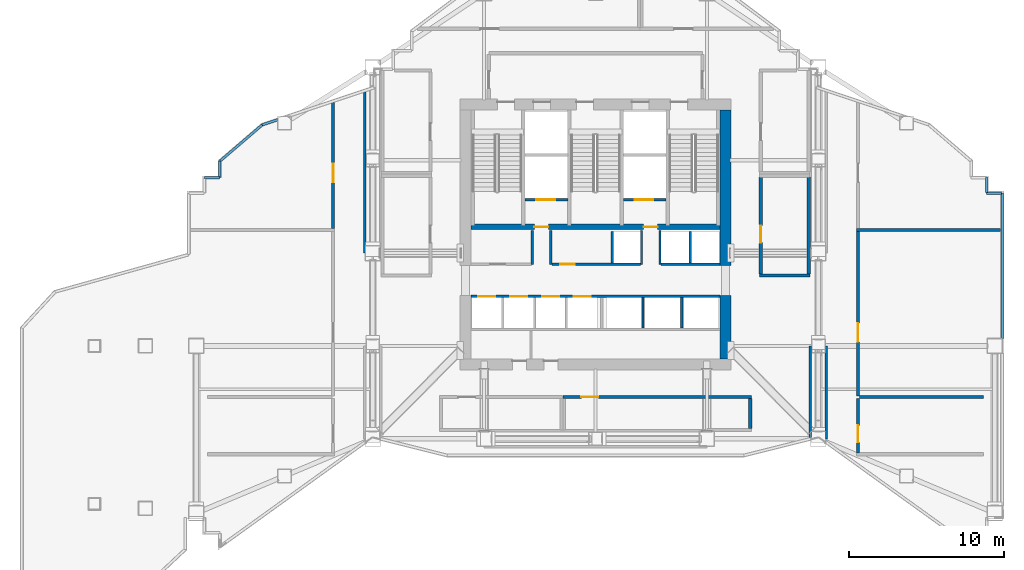
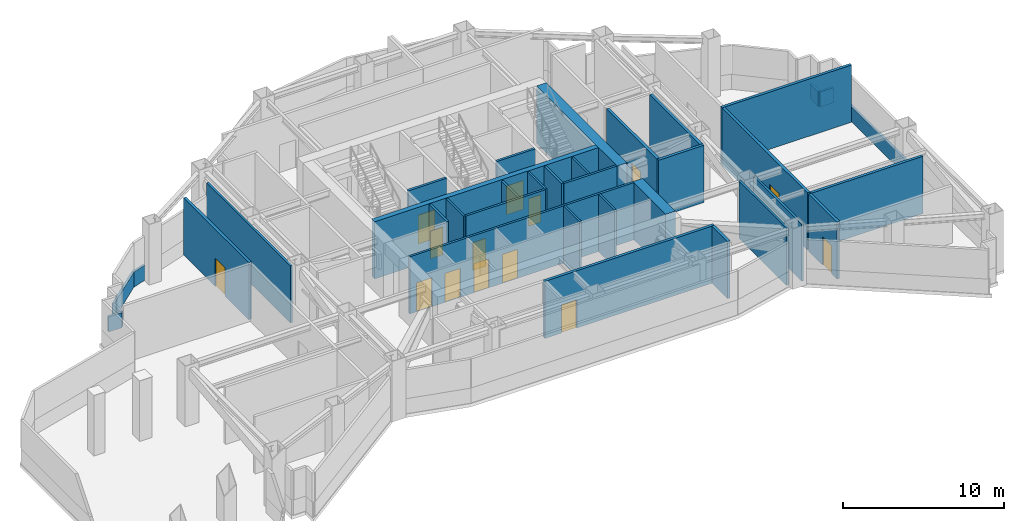
# One storey, part 15 of 24: 36 walls, 14 doors, 14 openings.
"""IFC4 building model written with IfcOpenShell, lengths in metres."""

from ifc_helpers import new_model, si_unit, direction, frame, frame_2d, origin, place, context, subcontext, project, spatial, rectangle, extrude, material, layer, layer_set, type_object, element, fill, save


model = new_model("IFC4")

# Units and contexts
model_context = context("Model", 3, precision=1e-05, world=origin(), true_north=direction((0.0, 1.0)))
body_context = subcontext(model_context, "Body", "Model", "MODEL_VIEW")
ifc_project = project(units=[si_unit("LENGTHUNIT", "METRE"), si_unit("AREAUNIT", "SQUARE_METRE"), si_unit("VOLUMEUNIT", "CUBIC_METRE"), si_unit("PLANEANGLEUNIT", "RADIAN"), si_unit("MASSUNIT", "GRAM", prefix="KILO")], contexts=[model_context])

# Site, building, storey
site_placement = place(None, origin())
site = spatial("IfcSite", under=ifc_project, at=site_placement, CompositionType="ELEMENT")
building_placement = place(site_placement, origin())
building = spatial("IfcBuilding", under=site, at=building_placement, Name="Haolan Belvedere Tower", CompositionType="ELEMENT")
storey_placement = place(building_placement, frame((0.0, 0.0, 160.0)))
storey = spatial("IfcBuildingStorey", under=building, at=storey_placement, Name="L40", CompositionType="ELEMENT", Elevation=160.0)

# Walls
ifc_material_1 = material(Name="Concrete C60/75", Category="concrete")
ifc_layer_1 = layer(ifc_material_1, 0.699951171875, Name="Concrete C60/75")
ifc_layer_set_1 = layer_set([ifc_layer_1], Name="Concrete C60/75")
wall_type_1 = type_object("IfcWallType", Name="WL-CORE-700", PredefinedType="SHEAR", material=ifc_layer_set_1)
wall_1_placement = place(storey_placement, frame((46.800048828125, 26.75, 0.0), z_axis=(0.0, 0.0, 1.0), x_axis=(0.0, 1.0, 0.0)))
element("IfcWall", 1, at=wall_1_placement, inside=storey, type_object=wall_type_1, Name="L40 central core shear wall ES", PredefinedType="SHEAR", context=body_context, shape_type="SweptSolid", body=[
    extrude(rectangle(XDim=4.10009765625, YDim=0.699951171875, at=frame_2d((2.050048828125, 0.0))), origin(), (0.0, 0.0, 1.0), 4.35009765625),
])
wall_2_placement = place(storey_placement, frame((46.800048828125, 32.800048828125, 0.0), z_axis=(0.0, 0.0, 1.0), x_axis=(0.0, 1.0, 0.0)))
element("IfcWall", 2, at=wall_2_placement, inside=storey, type_object=wall_type_1, Name="L40 central core shear wall EN", PredefinedType="SHEAR", context=body_context, shape_type="SweptSolid", body=[
    extrude(rectangle(XDim=10.050048828125, YDim=0.699951171875, at=frame_2d((5.02490234375, 0.0))), origin(), (0.0, 0.0, 1.0), 4.35009765625),
])

# Wall, opening, door
ifc_material_2 = material(Name="Concrete C40/50", Category="concrete")
ifc_layer_2 = layer(ifc_material_2, 0.199951171875, Name="Concrete C40/50")
ifc_layer_set_2 = layer_set([ifc_layer_2], Name="Concrete C40/50")
wall_type_2 = type_object("IfcWallType", Name="WL-FIRE-200", PredefinedType="SOLIDWALL", material=ifc_layer_set_2)
wall_3_placement = place(storey_placement, frame((21.43994140625, 35.18505859375, 0.0), z_axis=(0.0, 0.0, 1.0), x_axis=(0.0, 1.0, 0.0)))
wall_3 = element("IfcWall", 3, at=wall_3_placement, inside=storey, type_object=wall_type_2, Name="L40 interior partition IW-L40-REF-W2-E", PredefinedType="SOLIDWALL", context=body_context, shape_type="SweptSolid", body=[
    extrude(rectangle(XDim=8.13818359375, YDim=0.199951171875, at=frame_2d((4.069091796875, 0.0))), origin(), (0.0, 0.0, 1.0), 4.35009765625),
])
opening_1_placement = place(wall_3_placement, frame((4.195068359375, 0.0, 0.0), z_axis=(0.0, 0.0, 1.0), x_axis=(-1.0, 0.0, 0.0)))
opening_1 = element("IfcOpeningElement", 4, at=opening_1_placement, cuts=wall_3, Name="Opening FD-02", PredefinedType="OPENING", context=body_context, shape_type="SweptSolid", body=[
    extrude(rectangle(XDim=1.199951171875, YDim=2.14990234375, at=frame_2d((0.60009765625, 1.074951171875))), frame((0.0, 0.10986328125, 0.0), z_axis=(0.0, -1.0, 0.0), x_axis=(1.0, 0.0, 0.0)), (0.0, 0.0, 1.0), 0.219970703125),
])
ifc_material_3 = material(Name="Galvanised fire-rated steel", Category="steel")
door_type_1 = type_object("IfcDoorType", Name="DR-FD90-1200", OperationType="NOTDEFINED", PredefinedType="DOOR", material=ifc_material_3)
door_1_placement = place(opening_1_placement, origin())
door_1 = element("IfcDoor", 5, at=door_1_placement, inside=storey, type_object=door_type_1, Name="L40 door ID-L40-REF-W2", OperationType="SINGLE_SWING_RIGHT", OverallHeight=2.14990234375, OverallWidth=1.199951171875, PredefinedType="DOOR", context=body_context, shape_type="SweptSolid", body=[
    extrude(rectangle(XDim=1.199951171875, YDim=2.14990234375, at=frame_2d((0.60009765625, 1.074951171875))), frame((0.0, 0.02490234375, 0.0), z_axis=(0.0, -1.0, 0.0), x_axis=(1.0, 0.0, 0.0)), (0.0, 0.0, 1.0), 0.050048828125),
])
fill(opening_1, door_1)

# Wall
wall_4_placement = place(storey_placement, frame((55.280029296875, 35.10009765625, 0.0), z_axis=(0.0, 0.0, 1.0), x_axis=(1.0, 0.0, 0.0)))
element("IfcWall", 6, at=wall_4_placement, inside=storey, type_object=wall_type_2, Name="L40 interior partition IW-L40-REF-E1-N", PredefinedType="SOLIDWALL", context=body_context, shape_type="SweptSolid", body=[
    extrude(rectangle(XDim=9.307861328125, YDim=0.199951171875, at=frame_2d((4.65380859375, 0.0))), origin(), (0.0, 0.0, 1.0), 4.35009765625),
])

# Wall, opening, door
wall_5_placement = place(storey_placement, frame((55.360107421875, 24.3701171875, 0.0), z_axis=(0.0, 0.0, 1.0), x_axis=(0.0, 1.0, 0.0)))
wall_5 = element("IfcWall", 7, at=wall_5_placement, inside=storey, type_object=wall_type_2, Name="L40 interior partition IW-L40-REF-E1-W", PredefinedType="SOLIDWALL", context=body_context, shape_type="SweptSolid", body=[
    extrude(rectangle(XDim=10.644775390625, YDim=0.199951171875, at=frame_2d((5.322265625, 0.0))), origin(), (0.0, 0.0, 1.0), 4.35009765625),
])
opening_2_placement = place(wall_5_placement, frame((3.5, 0.0, 0.0)))
opening_2 = element("IfcOpeningElement", 8, at=opening_2_placement, cuts=wall_5, Name="Opening FD-02", PredefinedType="OPENING", context=body_context, shape_type="SweptSolid", body=[
    extrude(rectangle(XDim=1.199951171875, YDim=2.14990234375, at=frame_2d((0.60009765625, 1.074951171875))), frame((0.0, 0.10986328125, 0.0), z_axis=(0.0, -1.0, 0.0), x_axis=(1.0, 0.0, 0.0)), (0.0, 0.0, 1.0), 0.219970703125),
])
door_2_placement = place(opening_2_placement, origin())
door_2 = element("IfcDoor", 9, at=door_2_placement, inside=storey, type_object=door_type_1, Name="L40 door ID-L40-REF-E1", OperationType="SINGLE_SWING_RIGHT", OverallHeight=2.14990234375, OverallWidth=1.199951171875, PredefinedType="DOOR", context=body_context, shape_type="SweptSolid", body=[
    extrude(rectangle(XDim=1.199951171875, YDim=2.14990234375, at=frame_2d((0.60009765625, 1.074951171875))), frame((0.0, 0.02490234375, 0.0), z_axis=(0.0, -1.0, 0.0), x_axis=(1.0, 0.0, 0.0)), (0.0, 0.0, 1.0), 0.050048828125),
])
fill(opening_2, door_2)

# Wall
wall_6_placement = place(storey_placement, frame((49.0, 32.14990234375, 0.0), z_axis=(0.0, 0.0, 1.0), x_axis=(1.0, 0.0, 0.0)))
element("IfcWall", 10, at=wall_6_placement, inside=storey, type_object=wall_type_2, Name="L40 interior partition IW-L40-REF-EI1-S", PredefinedType="SOLIDWALL", context=body_context, shape_type="SweptSolid", body=[
    extrude(rectangle(XDim=3.260009765625, YDim=0.199951171875, at=frame_2d((1.6298828125, 0.0))), origin(), (0.0, 0.0, 1.0), 4.35009765625),
])

# Wall, opening, door
wall_7_placement = place(storey_placement, frame((49.080078125, 32.235107421875, 0.0), z_axis=(0.0, 0.0, 1.0), x_axis=(0.0, 1.0, 0.0)))
wall_7 = element("IfcWall", 11, at=wall_7_placement, inside=storey, type_object=wall_type_2, Name="L40 interior partition IW-L40-REF-EI1-W", PredefinedType="SOLIDWALL", context=body_context, shape_type="SweptSolid", body=[
    extrude(rectangle(XDim=6.27978515625, YDim=0.199951171875, at=frame_2d((3.139892578125, 0.0))), origin(), (0.0, 0.0, 1.0), 4.35009765625),
])
opening_3_placement = place(wall_7_placement, frame((2.034912109375, 0.0, 0.0)))
opening_3 = element("IfcOpeningElement", 12, at=opening_3_placement, cuts=wall_7, Name="Opening FD-03", PredefinedType="OPENING", context=body_context, shape_type="SweptSolid", body=[
    extrude(rectangle(XDim=1.10009765625, YDim=2.14990234375, at=frame_2d((0.550048828125, 1.074951171875))), frame((0.0, 0.10986328125, 0.0), z_axis=(0.0, -1.0, 0.0), x_axis=(1.0, 0.0, 0.0)), (0.0, 0.0, 1.0), 0.219970703125),
])
door_type_2 = type_object("IfcDoorType", Name="DR-FD90-1100", OperationType="NOTDEFINED", PredefinedType="DOOR", material=ifc_material_3)
door_3_placement = place(opening_3_placement, origin())
door_3 = element("IfcDoor", 13, at=door_3_placement, inside=storey, type_object=door_type_2, Name="L40 door ID-L40-REF-EI1", OperationType="SINGLE_SWING_RIGHT", OverallHeight=2.14990234375, OverallWidth=1.10009765625, PredefinedType="DOOR", context=body_context, shape_type="SweptSolid", body=[
    extrude(rectangle(XDim=1.10009765625, YDim=2.14990234375, at=frame_2d((0.550048828125, 1.074951171875))), frame((0.0, 0.02490234375, 0.0), z_axis=(0.0, -1.0, 0.0), x_axis=(1.0, 0.0, 0.0)), (0.0, 0.0, 1.0), 0.050048828125),
])
fill(opening_3, door_3)

# Wall
wall_8_placement = place(storey_placement, frame((52.179931640625, 32.235107421875, 0.0), z_axis=(0.0, 0.0, 1.0), x_axis=(0.0, 1.0, 0.0)))
element("IfcWall", 14, at=wall_8_placement, inside=storey, type_object=wall_type_2, Name="L40 interior partition IW-L40-REF-EI1-E", PredefinedType="SOLIDWALL", context=body_context, shape_type="SweptSolid", body=[
    extrude(rectangle(XDim=6.27978515625, YDim=0.199951171875, at=frame_2d((3.139892578125, 0.0))), origin(), (0.0, 0.0, 1.0), 4.35009765625),
])

# Wall, opening, door
wall_9_placement = place(storey_placement, frame((36.284912109375, 24.300048828125, 0.0), z_axis=(0.0, 0.0, 1.0), x_axis=(1.0, 0.0, 0.0)))
wall_9 = element("IfcWall", 15, at=wall_9_placement, inside=storey, type_object=wall_type_2, Name="L40 interior partition IW-L40-PLT-CHW-N", PredefinedType="SOLIDWALL", context=body_context, shape_type="SweptSolid", body=[
    extrude(rectangle(XDim=12.195068359375, YDim=0.199951171875, at=frame_2d((6.09765625, 0.0))), origin(), (0.0, 0.0, 1.0), 4.35009765625),
])
opening_4_placement = place(wall_9_placement, frame((2.295166015625, 0.0, 0.0), z_axis=(0.0, 0.0, 1.0), x_axis=(-1.0, 0.0, 0.0)))
opening_4 = element("IfcOpeningElement", 16, at=opening_4_placement, cuts=wall_9, Name="Opening FD-03", PredefinedType="OPENING", context=body_context, shape_type="SweptSolid", body=[
    extrude(rectangle(XDim=1.10009765625, YDim=2.14990234375, at=frame_2d((0.550048828125, 1.074951171875))), frame((0.0, 0.10986328125, 0.0), z_axis=(0.0, -1.0, 0.0), x_axis=(1.0, 0.0, 0.0)), (0.0, 0.0, 1.0), 0.219970703125),
])
door_4_placement = place(opening_4_placement, origin())
door_4 = element("IfcDoor", 17, at=door_4_placement, inside=storey, type_object=door_type_2, Name="L40 door ID-L40-PLT-CHW", OperationType="SINGLE_SWING_RIGHT", OverallHeight=2.14990234375, OverallWidth=1.10009765625, PredefinedType="DOOR", context=body_context, shape_type="SweptSolid", body=[
    extrude(rectangle(XDim=1.10009765625, YDim=2.14990234375, at=frame_2d((0.550048828125, 1.074951171875))), frame((0.0, 0.02490234375, 0.0), z_axis=(0.0, -1.0, 0.0), x_axis=(1.0, 0.0, 0.0)), (0.0, 0.0, 1.0), 0.050048828125),
])
fill(opening_4, door_4)

# Walls
wall_10_placement = place(storey_placement, frame((48.39990234375, 22.264892578125, 0.0), z_axis=(0.0, 0.0, 1.0), x_axis=(0.0, 1.0, 0.0)))
element("IfcWall", 18, at=wall_10_placement, inside=storey, type_object=wall_type_2, Name="L40 interior partition IW-L40-PLT-CHW-E", PredefinedType="SOLIDWALL", context=body_context, shape_type="SweptSolid", body=[
    extrude(rectangle(XDim=1.9501953125, YDim=0.199951171875, at=frame_2d((0.97509765625, 0.0))), origin(), (0.0, 0.0, 1.0), 4.35009765625),
])
wall_11_placement = place(storey_placement, frame((55.445068359375, 24.2900390625, 0.0), z_axis=(0.0, 0.0, 1.0), x_axis=(1.0, 0.0, 0.0)))
element("IfcWall", 19, at=wall_11_placement, inside=storey, type_object=wall_type_2, Name="L40 interior partition IW-L40-PLT-TNK-N", PredefinedType="SOLIDWALL", context=body_context, shape_type="SweptSolid", body=[
    extrude(rectangle(XDim=8.034912109375, YDim=0.199951171875, at=frame_2d((4.017578125, 0.0))), origin(), (0.0, 0.0, 1.0), 4.35009765625),
])

# Wall, opening, door
wall_12_placement = place(storey_placement, frame((55.360107421875, 20.68505859375, 0.0), z_axis=(0.0, 0.0, 1.0), x_axis=(0.0, 1.0, 0.0)))
wall_12 = element("IfcWall", 20, at=wall_12_placement, inside=storey, type_object=wall_type_2, Name="L40 interior partition IW-L40-PLT-TNK-W", PredefinedType="SOLIDWALL", context=body_context, shape_type="SweptSolid", body=[
    extrude(rectangle(XDim=3.52001953125, YDim=0.199951171875, at=frame_2d((1.760009765625, 0.0))), origin(), (0.0, 0.0, 1.0), 4.35009765625),
])
opening_5_placement = place(wall_12_placement, frame((0.68505859375, 0.0, 0.0)))
opening_5 = element("IfcOpeningElement", 21, at=opening_5_placement, cuts=wall_12, Name="Opening FD-03", PredefinedType="OPENING", context=body_context, shape_type="SweptSolid", body=[
    extrude(rectangle(XDim=1.10009765625, YDim=2.14990234375, at=frame_2d((0.550048828125, 1.074951171875))), frame((0.0, 0.10986328125, 0.0), z_axis=(0.0, -1.0, 0.0), x_axis=(1.0, 0.0, 0.0)), (0.0, 0.0, 1.0), 0.219970703125),
])
door_5_placement = place(opening_5_placement, origin())
door_5 = element("IfcDoor", 22, at=door_5_placement, inside=storey, type_object=door_type_2, Name="L40 door ID-L40-PLT-TNK", OperationType="SINGLE_SWING_LEFT", OverallHeight=2.14990234375, OverallWidth=1.10009765625, PredefinedType="DOOR", context=body_context, shape_type="SweptSolid", body=[
    extrude(rectangle(XDim=1.10009765625, YDim=2.14990234375, at=frame_2d((0.550048828125, 1.074951171875))), frame((0.0, 0.02490234375, 0.0), z_axis=(0.0, -1.0, 0.0), x_axis=(1.0, 0.0, 0.0)), (0.0, 0.0, 1.0), 0.050048828125),
])
fill(opening_5, door_5)

# Walls
ifc_material_4 = material(Name="Precast concrete C40/50", Category="concrete")
ifc_layer_3 = layer(ifc_material_4, 0.159912109375, Name="Precast concrete C40/50")
ifc_layer_set_3 = layer_set([ifc_layer_3], Name="Precast concrete C40/50")
wall_type_3 = type_object("IfcWallType", Name="WL-PAR-160", PredefinedType="PARAPET", material=ifc_layer_set_3)
wall_13_placement = place(storey_placement, frame((64.679931640625, 28.092041015625, 0.0), z_axis=(0.0, 0.0, 1.0), x_axis=(0.0, 1.0, 0.0)))
element("IfcWall", 23, at=wall_13_placement, inside=storey, type_object=wall_type_3, Name="L40 refuge open-band parapet 14.2", PredefinedType="PARAPET", context=body_context, shape_type="SweptSolid", body=[
    extrude(rectangle(XDim=9.387939453125, YDim=0.159912109375, at=frame_2d((4.69384765625, 0.0))), origin(), (0.0, 0.0, 1.0), 1.14990234375),
])
for number, where, z_axis, x_axis, name in (
    (24, (64.64990234375, 37.47998046875, 0.0), (0.0, 0.0, 1.0), (-1.0, 0.0, 0.0), "L40 refuge open-band parapet 15.1"),
    (25, (63.679931640625, 37.510009765625, 0.0), (0.0, 0.0, 1.0), (0.0, 1.0, 0.0), "L40 refuge open-band parapet 16.1"),
):
    element("IfcWall", number, at=place(storey_placement, frame(where, z_axis=z_axis, x_axis=x_axis)), inside=storey, type_object=wall_type_3, Name=name, PredefinedType="PARAPET", context=body_context, shape_type="SweptSolid", body=[
        extrude(rectangle(XDim=0.969970703125, YDim=0.159912109375, at=frame_2d((0.48486328125, 0.0))), origin(), (0.0, 0.0, 1.0), 1.14990234375),
    ])
wall_14_placement = place(storey_placement, frame((17.85791015625, 42.226318359375, 0.0), z_axis=(0.0, 0.0, 1.0), x_axis=(-0.948636865667, -0.316367029093, 0.0)))
element("IfcWall", 26, at=wall_14_placement, inside=storey, type_object=wall_type_3, Name="L40 refuge open-band parapet 35.2", PredefinedType="PARAPET", context=body_context, shape_type="SweptSolid", body=[
    extrude(rectangle(XDim=1.0517578125, YDim=0.159912109375, at=frame_2d((0.52587890625, 0.0))), origin(), (0.0, 0.0, 1.0), 1.14990234375),
])
wall_15_placement = place(storey_placement, frame((16.860107421875, 41.8935546875, 0.0), z_axis=(0.0, 0.0, 1.0), x_axis=(-0.759247051556, -0.650802515902, 0.0)))
element("IfcWall", 27, at=wall_15_placement, inside=storey, type_object=wall_type_3, Name="L40 refuge open-band parapet 36.1", PredefinedType="PARAPET", context=body_context, shape_type="SweptSolid", body=[
    extrude(rectangle(XDim=3.60888671875, YDim=0.159912109375, at=frame_2d((1.804443359375, 0.0))), origin(), (0.0, 0.0, 1.0), 1.14990234375),
])
wall_16_placement = place(storey_placement, frame((14.1201171875, 39.544921875, 0.0), z_axis=(0.0, 0.0, 1.0), x_axis=(0.0, -1.0, 0.0)))
element("IfcWall", 28, at=wall_16_placement, inside=storey, type_object=wall_type_3, Name="L40 refuge open-band parapet 37.1", PredefinedType="PARAPET", context=body_context, shape_type="SweptSolid", body=[
    extrude(rectangle(XDim=1.06494140625, YDim=0.159912109375, at=frame_2d((0.532470703125, 0.0))), origin(), (0.0, 0.0, 1.0), 1.14990234375),
])
wall_17_placement = place(storey_placement, frame((14.090087890625, 38.47998046875, 0.0), z_axis=(0.0, 0.0, 1.0), x_axis=(-1.0, 0.0, 0.0)))
element("IfcWall", 29, at=wall_17_placement, inside=storey, type_object=wall_type_3, Name="L40 refuge open-band parapet 38.1", PredefinedType="PARAPET", context=body_context, shape_type="SweptSolid", body=[
    extrude(rectangle(XDim=0.969970703125, YDim=0.159912109375, at=frame_2d((0.48486328125, 0.0))), origin(), (0.0, 0.0, 1.0), 1.14990234375),
])
ifc_material_5 = material(Name="Double gypsum acoustic stud partition", Category="masonry")
ifc_layer_4 = layer(ifc_material_5, 0.14990234375, Name="Double gypsum acoustic stud partition")
ifc_layer_set_4 = layer_set([ifc_layer_4], Name="Double gypsum acoustic stud partition")
wall_type_4 = type_object("IfcWallType", Name="WL-PART-150", PredefinedType="PARTITIONING", material=ifc_layer_set_4)
wall_18_placement = place(storey_placement, frame((23.47998046875, 33.60009765625, 0.0), z_axis=(0.0, 0.0, 1.0), x_axis=(0.0, 1.0, 0.0)))
element("IfcWall", 30, at=wall_18_placement, inside=storey, type_object=wall_type_4, Name="L40 interior partition IW-L40-CH-BTW3-2", PredefinedType="PARTITIONING", context=body_context, shape_type="SweptSolid", body=[
    extrude(rectangle(XDim=10.403076171875, YDim=0.14990234375, at=frame_2d((5.20166015625, 0.0))), origin(), (0.0, 0.0, 1.0), 4.35009765625),
])
wall_19_placement = place(storey_placement, frame((53.320068359375, 21.60009765625, 0.0), z_axis=(0.0, 0.0, 1.0), x_axis=(0.0, 1.0, 0.0)))
element("IfcWall", 31, at=wall_19_placement, inside=storey, type_object=wall_type_4, Name="L40 interior partition IW-L40-CH-BTE1-1", PredefinedType="PARTITIONING", context=body_context, shape_type="SweptSolid", body=[
    extrude(rectangle(XDim=6.0, YDim=0.14990234375, at=frame_2d((3.0, 0.0))), origin(), (0.0, 0.0, 1.0), 4.35009765625),
])
wall_20_placement = place(storey_placement, frame((52.280029296875, 21.6884765625, 0.0), z_axis=(0.0, 0.0, 1.0), x_axis=(0.0, 1.0, 0.0)))
element("IfcWall", 32, at=wall_20_placement, inside=storey, type_object=wall_type_4, Name="L40 interior partition IW-L40-CH-BTE1-2", PredefinedType="PARTITIONING", context=body_context, shape_type="SweptSolid", body=[
    extrude(rectangle(XDim=5.91162109375, YDim=0.14990234375, at=frame_2d((2.955810546875, 0.0))), origin(), (0.0, 0.0, 1.0), 4.35009765625),
])
ifc_material_6 = material(Name="Gypsum fire shaftwall assembly", Category="masonry")
ifc_layer_5 = layer(ifc_material_6, 0.1650390625, Name="Gypsum fire shaftwall assembly")
ifc_layer_set_5 = layer_set([ifc_layer_5], Name="Gypsum fire shaftwall assembly")
wall_type_5 = type_object("IfcWallType", Name="WL-SHAFT-160", PredefinedType="SOLIDWALL", material=ifc_layer_set_5)
for number, where, z_axis, x_axis, name in (
    (33, (34.31005859375, 32.8798828125, 0.0), (0.0, 0.0, 1.0), (0.0, 1.0, 0.0), "L40 interior partition IW-L40-SVP-W-SV1"),
    (34, (35.510009765625, 32.8798828125, 0.0), (0.0, 0.0, 1.0), (0.0, 1.0, 0.0), "L40 interior partition IW-L40-SVP-E-SV1"),
    (35, (41.3701171875, 32.8798828125, 0.0), (0.0, 0.0, 1.0), (0.0, 1.0, 0.0), "L40 interior partition IW-L40-SVP-W-SV2"),
    (36, (42.570068359375, 32.8798828125, 0.0), (0.0, 0.0, 1.0), (0.0, 1.0, 0.0), "L40 interior partition IW-L40-SVP-E-SV2"),
):
    element("IfcWall", number, at=place(storey_placement, frame(where, z_axis=z_axis, x_axis=x_axis)), inside=storey, type_object=wall_type_5, Name=name, PredefinedType="SOLIDWALL", context=body_context, shape_type="SweptSolid", body=[
        extrude(rectangle(XDim=2.170166015625, YDim=0.14990234375, at=frame_2d((1.0849609375, 0.0))), origin(), (0.0, 0.0, 1.0), 4.35009765625),
    ])

# Wall, opening, door
wall_21_placement = place(storey_placement, frame((35.570068359375, 32.8798828125, 0.0), z_axis=(0.0, 0.0, 1.0), x_axis=(1.0, 0.0, 0.0)))
wall_21 = element("IfcWall", 37, at=wall_21_placement, inside=storey, type_object=wall_type_5, Name="L40 interior partition IW-L40-ROW-PN2", PredefinedType="SOLIDWALL", context=body_context, shape_type="SweptSolid", body=[
    extrude(rectangle(XDim=5.739990234375, YDim=0.159912109375, at=frame_2d((2.8701171875, 0.0))), origin(), (0.0, 0.0, 1.0), 4.35009765625),
])
opening_6_placement = place(wall_21_placement, frame((1.489990234375, 0.0, 0.0), z_axis=(0.0, 0.0, 1.0), x_axis=(-1.0, 0.0, 0.0)))
opening_6 = element("IfcOpeningElement", 38, at=opening_6_placement, cuts=wall_21, Name="Opening ID-03", PredefinedType="OPENING", context=body_context, shape_type="SweptSolid", body=[
    extrude(rectangle(XDim=0.949951171875, YDim=2.1201171875, at=frame_2d((0.47509765625, 1.06005859375))), frame((0.0, 0.08984375, 0.0), z_axis=(0.0, -1.0, 0.0), x_axis=(1.0, 0.0, 0.0)), (0.0, 0.0, 1.0), 0.179931640625),
])
ifc_material_7 = material(Name="Painted solid-core timber", Category="wood")
door_type_3 = type_object("IfcDoorType", Name="DR-INT-950", OperationType="NOTDEFINED", PredefinedType="DOOR", material=ifc_material_7)
door_6_placement = place(opening_6_placement, origin())
door_6 = element("IfcDoor", 39, at=door_6_placement, inside=storey, type_object=door_type_3, Name="L40 door ID-L40-CD-RPLE", OperationType="SINGLE_SWING_RIGHT", OverallHeight=2.1201171875, OverallWidth=0.949951171875, PredefinedType="DOOR", context=body_context, shape_type="SweptSolid", body=[
    extrude(rectangle(XDim=0.949951171875, YDim=2.1201171875, at=frame_2d((0.47509765625, 1.06005859375))), frame((0.0, 0.02490234375, 0.0), z_axis=(0.0, -1.0, 0.0), x_axis=(1.0, 0.0, 0.0)), (0.0, 0.0, 1.0), 0.050048828125),
])
fill(opening_6, door_6)

# Walls
wall_22_placement = place(storey_placement, frame((42.6298828125, 32.8798828125, 0.0), z_axis=(0.0, 0.0, 1.0), x_axis=(1.0, 0.0, 0.0)))
element("IfcWall", 40, at=wall_22_placement, inside=storey, type_object=wall_type_5, Name="L40 interior partition IW-L40-ROW-PN3", PredefinedType="SOLIDWALL", context=body_context, shape_type="SweptSolid", body=[
    extrude(rectangle(XDim=3.820068359375, YDim=0.159912109375, at=frame_2d((1.91015625, 0.0))), origin(), (0.0, 0.0, 1.0), 4.35009765625),
])
for number, where, z_axis, x_axis, name in (
    (41, (39.469970703125, 32.949951171875, 0.0), (0.0, 0.0, 1.0), (0.0, 1.0, 0.0), "L40 interior partition IW-L40-DIV-PL4R"),
    (42, (44.530029296875, 32.949951171875, 0.0), (0.0, 0.0, 1.0), (0.0, 1.0, 0.0), "L40 interior partition IW-L40-DIV-PH2"),
):
    element("IfcWall", number, at=place(storey_placement, frame(where, z_axis=z_axis, x_axis=x_axis)), inside=storey, type_object=wall_type_5, Name=name, PredefinedType="SOLIDWALL", context=body_context, shape_type="SweptSolid", body=[
        extrude(rectangle(XDim=2.050048828125, YDim=0.14990234375, at=frame_2d((1.02490234375, 0.0))), origin(), (0.0, 0.0, 1.0), 4.35009765625),
    ])

# Wall, openings, doors
wall_23_placement = place(storey_placement, frame((30.35009765625, 30.800048828125, 0.0), z_axis=(0.0, 0.0, 1.0), x_axis=(1.0, 0.0, 0.0)))
wall_23 = element("IfcWall", 43, at=wall_23_placement, inside=storey, type_object=wall_type_5, Name="L40 interior partition IW-L40-ROW-PS", PredefinedType="SOLIDWALL", context=body_context, shape_type="SweptSolid", body=[
    extrude(rectangle(XDim=16.099853515625, YDim=0.159912109375, at=frame_2d((8.0498046875, 0.0))), origin(), (0.0, 0.0, 1.0), 4.35009765625),
])
opening_7_placement = place(wall_23_placement, frame((0.469970703125, 0.0, 0.0)))
opening_7 = element("IfcOpeningElement", 44, at=opening_7_placement, cuts=wall_23, Name="Opening LD-01", PredefinedType="OPENING", context=body_context, shape_type="SweptSolid", body=[
    extrude(rectangle(XDim=1.10009765625, YDim=2.199951171875, at=frame_2d((0.550048828125, 1.10009765625))), frame((0.0, 0.08984375, 0.0), z_axis=(0.0, -1.0, 0.0), x_axis=(1.0, 0.0, 0.0)), (0.0, 0.0, 1.0), 0.179931640625),
])
opening_8_placement = place(wall_23_placement, frame((2.530029296875, 0.0, 0.0)))
opening_8 = element("IfcOpeningElement", 45, at=opening_8_placement, cuts=wall_23, Name="Opening LD-01", PredefinedType="OPENING", context=body_context, shape_type="SweptSolid", body=[
    extrude(rectangle(XDim=1.10009765625, YDim=2.199951171875, at=frame_2d((0.550048828125, 1.10009765625))), frame((0.0, 0.08984375, 0.0), z_axis=(0.0, -1.0, 0.0), x_axis=(1.0, 0.0, 0.0)), (0.0, 0.0, 1.0), 0.179931640625),
])
opening_9_placement = place(wall_23_placement, frame((4.590087890625, 0.0, 0.0)))
opening_9 = element("IfcOpeningElement", 46, at=opening_9_placement, cuts=wall_23, Name="Opening LD-01", PredefinedType="OPENING", context=body_context, shape_type="SweptSolid", body=[
    extrude(rectangle(XDim=1.10009765625, YDim=2.199951171875, at=frame_2d((0.550048828125, 1.10009765625))), frame((0.0, 0.08984375, 0.0), z_axis=(0.0, -1.0, 0.0), x_axis=(1.0, 0.0, 0.0)), (0.0, 0.0, 1.0), 0.179931640625),
])
opening_10_placement = place(wall_23_placement, frame((6.64990234375, 0.0, 0.0)))
opening_10 = element("IfcOpeningElement", 47, at=opening_10_placement, cuts=wall_23, Name="Opening LD-01", PredefinedType="OPENING", context=body_context, shape_type="SweptSolid", body=[
    extrude(rectangle(XDim=1.10009765625, YDim=2.199951171875, at=frame_2d((0.550048828125, 1.10009765625))), frame((0.0, 0.08984375, 0.0), z_axis=(0.0, -1.0, 0.0), x_axis=(1.0, 0.0, 0.0)), (0.0, 0.0, 1.0), 0.179931640625),
])
ifc_material_8 = material(Name="Brushed champagne stainless steel 316L", Category="steel")
door_type_4 = type_object("IfcDoorType", Name="DR-LIFT-1100", OperationType="SLIDING_TO_LEFT", PredefinedType="DOOR", material=ifc_material_8)
door_7_placement = place(opening_7_placement, origin())
door_7 = element("IfcDoor", 48, at=door_7_placement, inside=storey, type_object=door_type_4, Name="L40 door ID-L40-LD-PM1", OperationType="SLIDING_TO_LEFT", OverallHeight=2.199951171875, OverallWidth=1.10009765625, PredefinedType="DOOR", context=body_context, shape_type="SweptSolid", body=[
    extrude(rectangle(XDim=1.10009765625, YDim=2.199951171875, at=frame_2d((0.550048828125, 1.10009765625))), frame((0.0, 0.02490234375, 0.0), z_axis=(0.0, -1.0, 0.0), x_axis=(1.0, 0.0, 0.0)), (0.0, 0.0, 1.0), 0.050048828125),
])
fill(opening_7, door_7)
door_8_placement = place(opening_8_placement, origin())
door_8 = element("IfcDoor", 49, at=door_8_placement, inside=storey, type_object=door_type_4, Name="L40 door ID-L40-LD-PM2", OperationType="SLIDING_TO_LEFT", OverallHeight=2.199951171875, OverallWidth=1.10009765625, PredefinedType="DOOR", context=body_context, shape_type="SweptSolid", body=[
    extrude(rectangle(XDim=1.10009765625, YDim=2.199951171875, at=frame_2d((0.550048828125, 1.10009765625))), frame((0.0, 0.02490234375, 0.0), z_axis=(0.0, -1.0, 0.0), x_axis=(1.0, 0.0, 0.0)), (0.0, 0.0, 1.0), 0.050048828125),
])
fill(opening_8, door_8)
door_9_placement = place(opening_9_placement, origin())
door_9 = element("IfcDoor", 50, at=door_9_placement, inside=storey, type_object=door_type_4, Name="L40 door ID-L40-LD-PM3", OperationType="SLIDING_TO_LEFT", OverallHeight=2.199951171875, OverallWidth=1.10009765625, PredefinedType="DOOR", context=body_context, shape_type="SweptSolid", body=[
    extrude(rectangle(XDim=1.10009765625, YDim=2.199951171875, at=frame_2d((0.550048828125, 1.10009765625))), frame((0.0, 0.02490234375, 0.0), z_axis=(0.0, -1.0, 0.0), x_axis=(1.0, 0.0, 0.0)), (0.0, 0.0, 1.0), 0.050048828125),
])
fill(opening_9, door_9)
door_10_placement = place(opening_10_placement, origin())
door_10 = element("IfcDoor", 51, at=door_10_placement, inside=storey, type_object=door_type_4, Name="L40 door ID-L40-LD-PM4", OperationType="SLIDING_TO_LEFT", OverallHeight=2.199951171875, OverallWidth=1.10009765625, PredefinedType="DOOR", context=body_context, shape_type="SweptSolid", body=[
    extrude(rectangle(XDim=1.10009765625, YDim=2.199951171875, at=frame_2d((0.550048828125, 1.10009765625))), frame((0.0, 0.02490234375, 0.0), z_axis=(0.0, -1.0, 0.0), x_axis=(1.0, 0.0, 0.0)), (0.0, 0.0, 1.0), 0.050048828125),
])
fill(opening_10, door_10)

# Walls
for number, where, z_axis, x_axis, name in (
    (52, (41.469970703125, 28.75, 0.0), (0.0, 0.0, 1.0), (0.0, 1.0, 0.0), "L40 interior partition IW-L40-DIV-OB1"),
    (53, (43.97998046875, 28.75, 0.0), (0.0, 0.0, 1.0), (0.0, 1.0, 0.0), "L40 interior partition IW-L40-DIV-OB2"),
):
    element("IfcWall", number, at=place(storey_placement, frame(where, z_axis=z_axis, x_axis=x_axis)), inside=storey, type_object=wall_type_5, Name=name, PredefinedType="SOLIDWALL", context=body_context, shape_type="SweptSolid", body=[
        extrude(rectangle(XDim=1.985107421875, YDim=0.14990234375, at=frame_2d((0.99267578125, 0.0))), origin(), (0.0, 0.0, 1.0), 4.35009765625),
    ])

# Wall, opening, door
ifc_layer_6 = layer(ifc_material_4, 0.179931640625, Name="Precast concrete C40/50")
ifc_layer_set_6 = layer_set([ifc_layer_6], Name="Precast concrete C40/50")
wall_type_6 = type_object("IfcWallType", Name="WL-SHAFT-180", PredefinedType="SOLIDWALL", material=ifc_layer_set_6)
wall_24_placement = place(storey_placement, frame((33.8349609375, 37.050048828125, 0.0), z_axis=(0.0, 0.0, 1.0), x_axis=(1.0, 0.0, 0.0)))
wall_24 = element("IfcWall", 54, at=wall_24_placement, inside=storey, type_object=wall_type_6, Name="L40 interior partition IW-L40-SV1-S", PredefinedType="SOLIDWALL", context=body_context, shape_type="SweptSolid", body=[
    extrude(rectangle(XDim=2.77001953125, YDim=0.179931640625, at=frame_2d((1.385009765625, 0.0))), origin(), (0.0, 0.0, 1.0), 4.35009765625),
])
opening_11_placement = place(wall_24_placement, frame((1.945068359375, 0.0, 0.0), z_axis=(0.0, 0.0, 1.0), x_axis=(-1.0, 0.0, 0.0)))
opening_11 = element("IfcOpeningElement", 55, at=opening_11_placement, cuts=wall_24, Name="Opening LD-02", PredefinedType="OPENING", context=body_context, shape_type="SweptSolid", body=[
    extrude(rectangle(XDim=1.199951171875, YDim=2.199951171875, at=frame_2d((0.60009765625, 1.10009765625))), frame((0.0, 0.099853515625, 0.0), z_axis=(0.0, -1.0, 0.0), x_axis=(1.0, 0.0, 0.0)), (0.0, 0.0, 1.0), 0.199951171875),
])
door_type_5 = type_object("IfcDoorType", Name="DR-LIFT-1200", OperationType="SLIDING_TO_RIGHT", PredefinedType="DOOR", material=ifc_material_8)
door_11_placement = place(opening_11_placement, origin())
door_11 = element("IfcDoor", 56, at=door_11_placement, inside=storey, type_object=door_type_5, Name="L40 door ID-L40-LD-SV1", OperationType="SLIDING_TO_RIGHT", OverallHeight=2.199951171875, OverallWidth=1.199951171875, PredefinedType="DOOR", context=body_context, shape_type="SweptSolid", body=[
    extrude(rectangle(XDim=1.199951171875, YDim=2.199951171875, at=frame_2d((0.60009765625, 1.10009765625))), frame((0.0, 0.02490234375, 0.0), z_axis=(0.0, -1.0, 0.0), x_axis=(1.0, 0.0, 0.0)), (0.0, 0.0, 1.0), 0.050048828125),
])
fill(opening_11, door_11)

wall_25_placement = place(storey_placement, frame((40.195068359375, 37.050048828125, 0.0), z_axis=(0.0, 0.0, 1.0), x_axis=(1.0, 0.0, 0.0)))
wall_25 = element("IfcWall", 57, at=wall_25_placement, inside=storey, type_object=wall_type_6, Name="L40 interior partition IW-L40-SV2-S", PredefinedType="SOLIDWALL", context=body_context, shape_type="SweptSolid", body=[
    extrude(rectangle(XDim=2.77001953125, YDim=0.179931640625, at=frame_2d((1.385009765625, 0.0))), origin(), (0.0, 0.0, 1.0), 4.35009765625),
])
opening_12_placement = place(wall_25_placement, frame((1.945068359375, 0.0, 0.0), z_axis=(0.0, 0.0, 1.0), x_axis=(-1.0, 0.0, 0.0)))
opening_12 = element("IfcOpeningElement", 58, at=opening_12_placement, cuts=wall_25, Name="Opening LD-02", PredefinedType="OPENING", context=body_context, shape_type="SweptSolid", body=[
    extrude(rectangle(XDim=1.199951171875, YDim=2.199951171875, at=frame_2d((0.60009765625, 1.10009765625))), frame((0.0, 0.099853515625, 0.0), z_axis=(0.0, -1.0, 0.0), x_axis=(1.0, 0.0, 0.0)), (0.0, 0.0, 1.0), 0.199951171875),
])
door_12_placement = place(opening_12_placement, origin())
door_12 = element("IfcDoor", 59, at=door_12_placement, inside=storey, type_object=door_type_5, Name="L40 door ID-L40-LD-SV2", OperationType="SLIDING_TO_RIGHT", OverallHeight=2.199951171875, OverallWidth=1.199951171875, PredefinedType="DOOR", context=body_context, shape_type="SweptSolid", body=[
    extrude(rectangle(XDim=1.199951171875, YDim=2.199951171875, at=frame_2d((0.60009765625, 1.10009765625))), frame((0.0, 0.02490234375, 0.0), z_axis=(0.0, -1.0, 0.0), x_axis=(1.0, 0.0, 0.0)), (0.0, 0.0, 1.0), 0.050048828125),
])
fill(opening_12, door_12)

# Wall, openings, doors
ifc_layer_7 = layer(ifc_material_1, 0.360107421875, Name="Concrete C60/75")
ifc_layer_set_7 = layer_set([ifc_layer_7], Name="Concrete C60/75")
wall_type_7 = type_object("IfcWallType", Name="WL-WEB-350", PredefinedType="SHEAR", material=ifc_layer_set_7)
wall_26_placement = place(storey_placement, frame((30.35009765625, 35.2900390625, 0.0), z_axis=(0.0, 0.0, 1.0), x_axis=(1.0, 0.0, 0.0)))
wall_26 = element("IfcWall", 60, at=wall_26_placement, inside=storey, type_object=wall_type_7, Name="L40 central core internal shear web", PredefinedType="SHEAR", context=body_context, shape_type="SweptSolid", body=[
    extrude(rectangle(XDim=16.099853515625, YDim=0.360107421875, at=frame_2d((8.0498046875, 0.0))), origin(), (0.0, 0.0, 1.0), 4.35009765625),
])
opening_13_placement = place(wall_26_placement, frame((5.0, 0.0, 0.0), z_axis=(0.0, 0.0, 1.0), x_axis=(-1.0, 0.0, 0.0)))
opening_13 = element("IfcOpeningElement", 61, at=opening_13_placement, cuts=wall_26, Name="Opening FD-05", PredefinedType="OPENING", context=body_context, shape_type="SweptSolid", body=[
    extrude(rectangle(XDim=0.89990234375, YDim=2.10009765625, at=frame_2d((0.449951171875, 1.050048828125))), frame((0.0, 0.18994140625, 0.0), z_axis=(0.0, -1.0, 0.0), x_axis=(1.0, 0.0, 0.0)), (0.0, 0.0, 1.0), 0.380126953125),
])
opening_14_placement = place(wall_26_placement, frame((12.059814453125, 0.0, 0.0), z_axis=(0.0, 0.0, 1.0), x_axis=(-1.0, 0.0, 0.0)))
opening_14 = element("IfcOpeningElement", 62, at=opening_14_placement, cuts=wall_26, Name="Opening FD-05", PredefinedType="OPENING", context=body_context, shape_type="SweptSolid", body=[
    extrude(rectangle(XDim=0.89990234375, YDim=2.10009765625, at=frame_2d((0.449951171875, 1.050048828125))), frame((0.0, 0.18994140625, 0.0), z_axis=(0.0, -1.0, 0.0), x_axis=(1.0, 0.0, 0.0)), (0.0, 0.0, 1.0), 0.380126953125),
])
door_type_6 = type_object("IfcDoorType", Name="DR-FD60-900", OperationType="NOTDEFINED", PredefinedType="DOOR", material=ifc_material_3)
door_13_placement = place(opening_13_placement, origin())
door_13 = element("IfcDoor", 63, at=door_13_placement, inside=storey, type_object=door_type_6, Name="L40 door CD-L40-SVL-SV1", OperationType="SINGLE_SWING_RIGHT", OverallHeight=2.10009765625, OverallWidth=0.89990234375, PredefinedType="DOOR", context=body_context, shape_type="SweptSolid", body=[
    extrude(rectangle(XDim=0.89990234375, YDim=2.10009765625, at=frame_2d((0.449951171875, 1.050048828125))), frame((0.0, 0.02490234375, 0.0), z_axis=(0.0, -1.0, 0.0), x_axis=(1.0, 0.0, 0.0)), (0.0, 0.0, 1.0), 0.050048828125),
])
fill(opening_13, door_13)
door_14_placement = place(opening_14_placement, origin())
door_14 = element("IfcDoor", 64, at=door_14_placement, inside=storey, type_object=door_type_6, Name="L40 door CD-L40-SVL-SV2", OperationType="SINGLE_SWING_RIGHT", OverallHeight=2.10009765625, OverallWidth=0.89990234375, PredefinedType="DOOR", context=body_context, shape_type="SweptSolid", body=[
    extrude(rectangle(XDim=0.89990234375, YDim=2.10009765625, at=frame_2d((0.449951171875, 1.050048828125))), frame((0.0, 0.02490234375, 0.0), z_axis=(0.0, -1.0, 0.0), x_axis=(1.0, 0.0, 0.0)), (0.0, 0.0, 1.0), 0.050048828125),
])
fill(opening_14, door_14)

save(model, "model.ifc")
